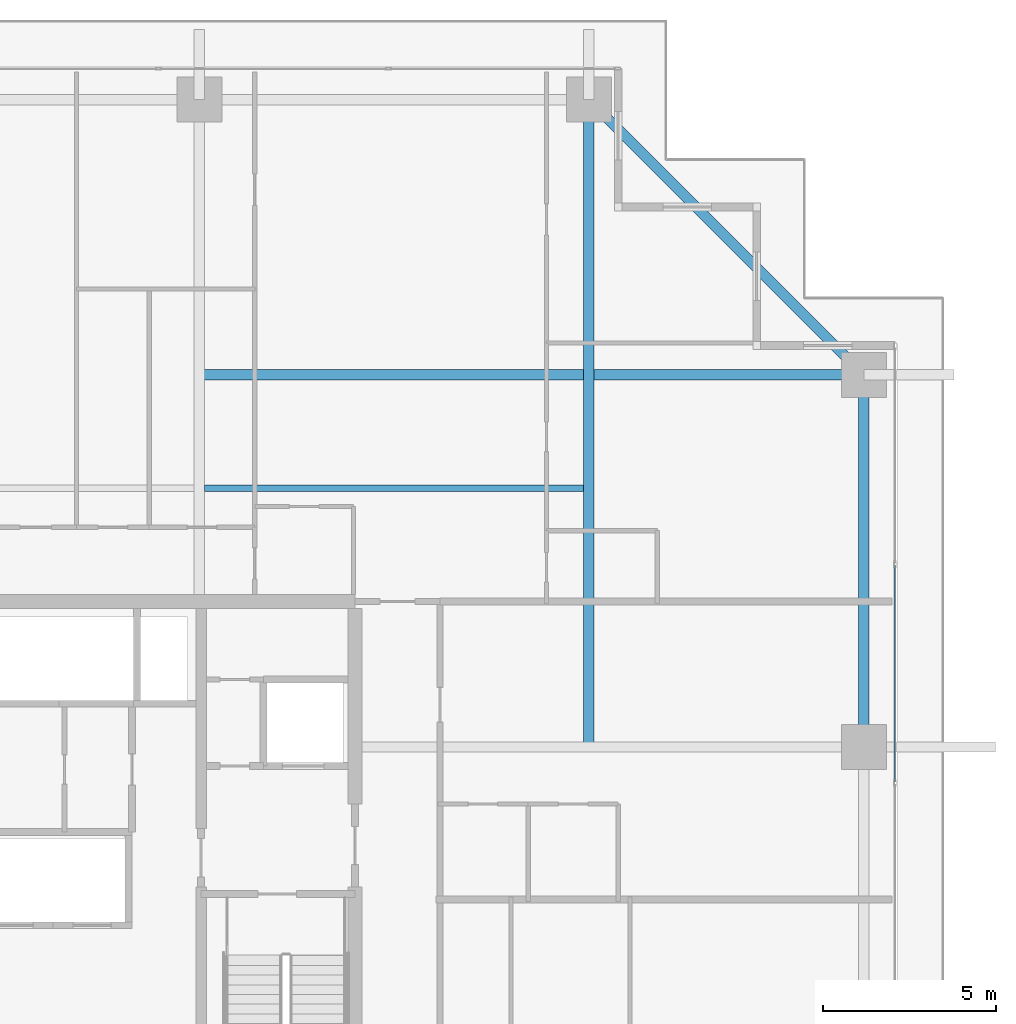
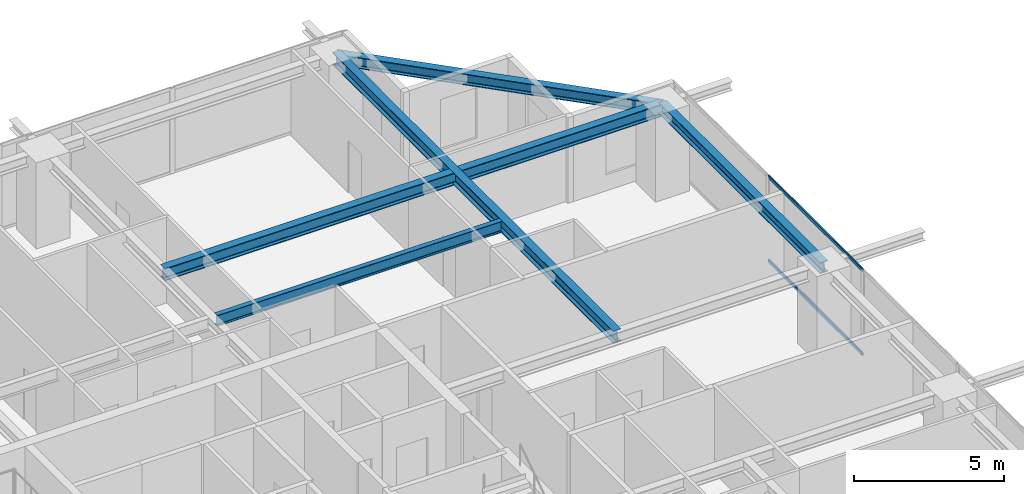
# One storey, part 20 of 34: 5 beams, 2 members, 1 element without a shape of its own.
"""IFC4 building model written with IfcOpenShell, lengths in metres."""

from ifc_helpers import new_model, si_unit, direction, frame, origin, origin_2d, place, context, subcontext, project, spatial, hollow_rectangle, i_section, extrude, source, transform, mapped, material, layer, layer_set, material_profile, profile_set, type_object, element, aggregate, save


model = new_model("IFC4")

# Units and contexts
model_context = context("Model", 3, precision=1e-05, world=origin(), true_north=direction((0.0, 1.0)))
body_context = subcontext(model_context, "Body", "Model", "MODEL_VIEW")
ifc_project = project(units=[si_unit("LENGTHUNIT", "METRE"), si_unit("AREAUNIT", "SQUARE_METRE"), si_unit("VOLUMEUNIT", "CUBIC_METRE"), si_unit("PLANEANGLEUNIT", "RADIAN"), si_unit("MASSUNIT", "GRAM", prefix="KILO")], contexts=[model_context])

# Site, building, storey
site_placement = place(None, origin())
site = spatial("IfcSite", under=ifc_project, at=site_placement, CompositionType="ELEMENT")
building_placement = place(site_placement, origin())
building = spatial("IfcBuilding", under=site, at=building_placement, Name="Serunith Strait Residences", CompositionType="ELEMENT")
storey_placement = place(building_placement, frame((0.0, 0.0, 142.64990234375)))
storey = spatial("IfcBuildingStorey", under=building, at=storey_placement, Name="L35", CompositionType="ELEMENT", Elevation=142.64990234375)

# Beams
ifc_material_1 = material(Name="Steel S355J2", Category="steel")
ifc_material_profile_1 = material_profile(ifc_material_1, i_section(OverallWidth=0.300048828125, OverallDepth=0.5, WebThickness=0.014404296875, FlangeThickness=0.028076171875, FilletRadius=0.027099609375, at=origin_2d()), Name="HEB 500")
ifc_profile_set_1 = profile_set([ifc_material_profile_1], Name="Steel S355J2")
beam_type_1 = type_object("IfcBeamType", Name="BM-HEB500", PredefinedType="BEAM", material=ifc_profile_set_1)
shared_shape_1 = source(origin(), body_context, "Body", "SweptSolid", [
    extrude(i_section(OverallWidth=0.300048828125, OverallDepth=0.5, WebThickness=0.014404296875, FlangeThickness=0.028076171875, FilletRadius=0.027099609375, at=origin_2d()), origin(), (0.0, 0.0, 1.0), 18.7001953125),
])
beam_1_placement = place(storey_placement, frame((48.14990234375, 29.39990234375, 3.237060546875), z_axis=(0.0, 1.0, 0.0), x_axis=(-1.0, 0.0, 0.0)))
element("IfcBeam", 1, at=beam_1_placement, inside=storey, type_object=beam_type_1, Name="L35 Orthogonal Corner Girder TC-N4", PredefinedType="BEAM", context=body_context, shape_type="MappedRepresentation", body=[
    mapped(shared_shape_1, transform((0.0, 0.0, 0.0), scale=1.0)),
])
shared_shape_2 = source(origin(), body_context, "Body", "SweptSolid", [
    extrude(i_section(OverallWidth=0.300048828125, OverallDepth=0.5, WebThickness=0.014404296875, FlangeThickness=0.028076171875, FilletRadius=0.027099609375, at=origin_2d()), origin(), (0.0, 0.0, 1.0), 19.2001953125),
])
beam_2_placement = place(storey_placement, frame((36.89990234375, 40.14990234375, 3.237060546875), z_axis=(1.0, 0.0, 0.0), x_axis=(0.0, 1.0, 0.0)))
element("IfcBeam", 2, at=beam_2_placement, inside=storey, type_object=beam_type_1, Name="L35 Orthogonal Corner Girder TC-E4", PredefinedType="BEAM", context=body_context, shape_type="MappedRepresentation", body=[
    mapped(shared_shape_2, transform((0.0, 0.0, 0.0), scale=1.0)),
])
ifc_material_profile_2 = material_profile(ifc_material_1, i_section(OverallWidth=0.300048828125, OverallDepth=0.449951171875, WebThickness=0.013916015625, FlangeThickness=0.02587890625, FilletRadius=0.027099609375, at=origin_2d()), Name="HEB 450")
ifc_profile_set_2 = profile_set([ifc_material_profile_2], Name="Steel S355J2")
beam_type_2 = type_object("IfcBeamType", Name="BM-HEB450", PredefinedType="BEAM", material=ifc_profile_set_2)
shared_shape_3 = source(origin(), body_context, "Body", "SweptSolid", [
    extrude(i_section(OverallWidth=0.300048828125, OverallDepth=0.449951171875, WebThickness=0.013916015625, FlangeThickness=0.02587890625, FilletRadius=0.027099609375, at=origin_2d()), origin(), (0.0, 0.0, 1.0), 11.2431640625),
])
beam_3_placement = place(storey_placement, frame((56.10009765625, 40.14990234375, 3.232177734375), z_axis=(-0.707106781187, 0.707106781187, 0.0), x_axis=(-0.707106781187, -0.707106781187, 0.0)))
element("IfcBeam", 3, at=beam_3_placement, inside=storey, type_object=beam_type_2, Name="L35 Perimeter Ring Beam 08", PredefinedType="BEAM", context=body_context, shape_type="MappedRepresentation", body=[
    mapped(shared_shape_3, transform((0.0, 0.0, 0.0), scale=1.0)),
])
shared_shape_4 = source(origin(), body_context, "Body", "SweptSolid", [
    extrude(i_section(OverallWidth=0.300048828125, OverallDepth=0.449951171875, WebThickness=0.013916015625, FlangeThickness=0.02587890625, FilletRadius=0.027099609375, at=origin_2d()), origin(), (0.0, 0.0, 1.0), 10.75),
])
beam_4_placement = place(storey_placement, frame((56.10009765625, 29.39990234375, 3.26220703125), z_axis=(0.0, 1.0, 0.0), x_axis=(-1.0, 0.0, 0.0)))
element("IfcBeam", 4, at=beam_4_placement, inside=storey, type_object=beam_type_2, Name="L35 Perimeter Ring Beam 07", PredefinedType="BEAM", context=body_context, shape_type="MappedRepresentation", body=[
    mapped(shared_shape_4, transform((0.0, 0.0, 0.0), scale=1.0)),
])
ifc_material_profile_3 = material_profile(ifc_material_1, i_section(OverallWidth=0.18994140625, OverallDepth=0.449951171875, WebThickness=0.009521484375, FlangeThickness=0.0146484375, FilletRadius=0.02099609375, at=origin_2d()), Name="IPE 450")
ifc_profile_set_3 = profile_set([ifc_material_profile_3], Name="Steel S355J2")
beam_type_3 = type_object("IfcBeamType", Name="BM-IPE450", PredefinedType="JOIST", material=ifc_profile_set_3)
shared_shape_5 = source(origin(), body_context, "Body", "SweptSolid", [
    extrude(i_section(OverallWidth=0.18994140625, OverallDepth=0.449951171875, WebThickness=0.009521484375, FlangeThickness=0.0146484375, FilletRadius=0.02099609375, at=origin_2d()), origin(), (0.0, 0.0, 1.0), 10.949951171875),
])
beam_5_placement = place(storey_placement, frame((37.050048828125, 36.875, 3.26220703125), z_axis=(1.0, 0.0, 0.0), x_axis=(0.0, 1.0, 0.0)))
element("IfcBeam", 5, at=beam_5_placement, inside=storey, type_object=beam_type_3, Name="L35 Composite Floor Joist 06", PredefinedType="JOIST", context=body_context, shape_type="MappedRepresentation", body=[
    mapped(shared_shape_5, transform((0.0, 0.0, 0.0), scale=1.0)),
])

# Curtain wall, members
ifc_material_2 = material(Name="Pale-Champagne Anodised Aluminium", Category="aluminium")
ifc_layer = layer(ifc_material_2, 0.199951171875, Name="Pale-Champagne Anodised Aluminium")
ifc_layer_set = layer_set([ifc_layer], Name="Pale-Champagne Anodised Aluminium")
curtain_wall_type = type_object("IfcCurtainWallType", Name="CW-SYS2", PredefinedType="NOTDEFINED", material=ifc_layer_set)
curtain_wall_placement = place(storey_placement, origin())
curtain_wall = element("IfcCurtainWall", 6, at=curtain_wall_placement, inside=storey, type_object=curtain_wall_type, Name="L35 E Unitised Fritted Curtain Wall", PredefinedType="NOTDEFINED")
ifc_material_profile_4 = material_profile(ifc_material_2, hollow_rectangle(XDim=0.06005859375, YDim=0.139892578125, WallThickness=0.00341796875, InnerFilletRadius=0.00537109375, OuterFilletRadius=0.0087890625, at=origin_2d()), Name="ALU 140x60x3.5")
ifc_profile_set_4 = profile_set([ifc_material_profile_4], Name="Pale-Champagne Anodised Aluminium")
member_type = type_object("IfcMemberType", Name="CW-SYS2-TRAN", PredefinedType="USERDEFINED", material=ifc_profile_set_4)
shared_shape_6 = source(origin(), body_context, "Body", "SweptSolid", [
    extrude(hollow_rectangle(XDim=0.06005859375, YDim=0.139892578125, WallThickness=0.00341796875, InnerFilletRadius=0.00537109375, OuterFilletRadius=0.0087890625, at=origin_2d()), origin(), (0.0, 0.0, 1.0), 6.25),
])
member_1_placement = place(storey_placement, frame((57.0, 28.39501953125, 0.030029296875), z_axis=(0.0, 1.0, 0.0), x_axis=(-1.0, 0.0, 0.0)))
member_1 = element("IfcMember", 7, at=member_1_placement, type_object=member_type, Name="CW-2 transom 4.1", ObjectType="TRANSOM", PredefinedType="USERDEFINED", context=body_context, shape_type="MappedRepresentation", body=[
    mapped(shared_shape_6, transform((0.0, 0.0, 0.0), scale=1.0)),
])
member_2_placement = place(storey_placement, frame((57.0, 28.39501953125, 3.445068359375), z_axis=(0.0, 1.0, 0.0), x_axis=(-1.0, 0.0, 0.0)))
member_2 = element("IfcMember", 8, at=member_2_placement, type_object=member_type, Name="CW-2 transom 4.2", ObjectType="TRANSOM", PredefinedType="USERDEFINED", context=body_context, shape_type="MappedRepresentation", body=[
    mapped(shared_shape_6, transform((0.0, 0.0, 0.0), scale=1.0)),
])
aggregate(curtain_wall, [member_1, member_2])

save(model, "model.ifc")
